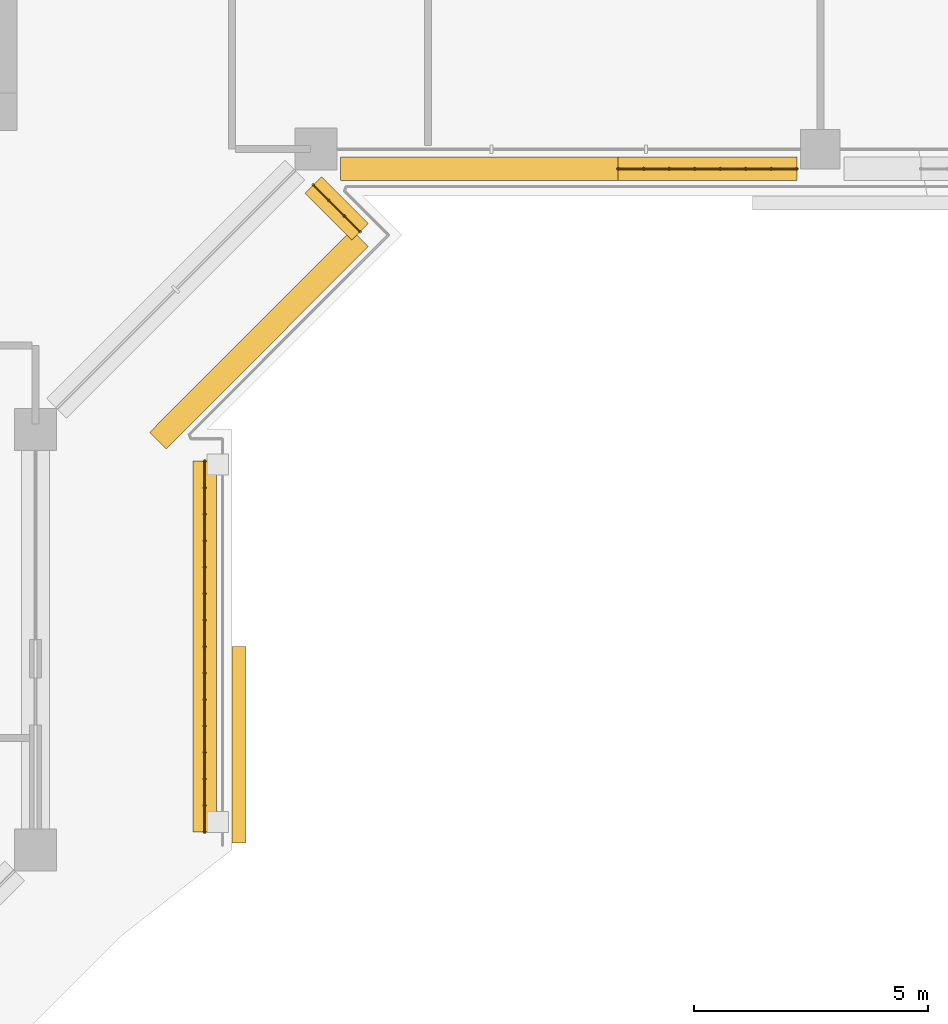
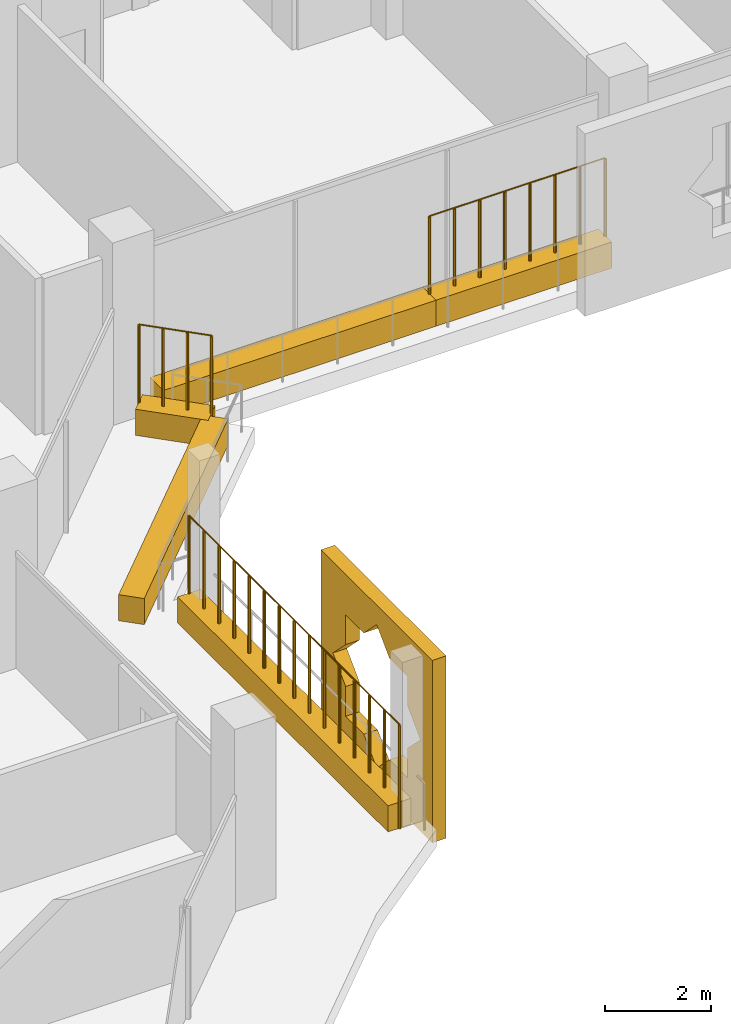
# One storey, part 18 of 23: 6 coverings, 3 railings.
"""IFC4 building model written with IfcOpenShell, lengths in metres."""

from ifc_helpers import new_model, si_unit, direction, frame, origin, origin_2d, place, context, subcontext, project, spatial, polyline, rectangle, circle, outline, extrude, material, material_profile, profile_set, type_object, element, save


model = new_model("IFC4")

# Units and contexts
model_context = context("Model", 3, precision=1e-05, world=origin(), true_north=direction((0.0, 1.0)))
body_context = subcontext(model_context, "Body", "Model", "MODEL_VIEW")
ifc_project = project(units=[si_unit("LENGTHUNIT", "METRE"), si_unit("AREAUNIT", "SQUARE_METRE"), si_unit("VOLUMEUNIT", "CUBIC_METRE"), si_unit("PLANEANGLEUNIT", "RADIAN"), si_unit("MASSUNIT", "GRAM", prefix="KILO")], contexts=[model_context])

# Site, building, storey
site_placement = place(None, origin())
site = spatial("IfcSite", under=ifc_project, at=site_placement, CompositionType="ELEMENT")
building_placement = place(site_placement, origin())
building = spatial("IfcBuilding", under=site, at=building_placement, Name="Kawkab Arch Medical Tower", CompositionType="ELEMENT")
storey_placement = place(building_placement, frame((0.0, 0.0, 247.39990234375)))
storey = spatial("IfcBuildingStorey", under=building, at=storey_placement, Name="L57", CompositionType="ELEMENT", Elevation=247.39990234375)

# Coverings
ifc_material_1 = material(Name="Bronze anodised aluminium mashrabiya panel, eight-point star pattern", Category="aluminium")
ifc_material_profile_1 = material_profile(ifc_material_1, outline(polyline([(-2.10009765625, -2.10009765625), (2.10009765625, -2.10009765625), (2.10009765625, 2.10009765625), (-2.10009765625, 2.10009765625), (-2.10009765625, -2.10009765625)]), holes=[polyline([(1.64990234375, 0.0), (1.166748046875, 0.4833984375), (1.166748046875, 1.166748046875), (0.4833984375, 1.166748046875), (0.0, 1.64990234375), (-0.4833984375, 1.166748046875), (-1.166748046875, 1.166748046875), (-1.166748046875, 0.4833984375), (-1.64990234375, 0.0), (-1.166748046875, -0.4833984375), (-1.166748046875, -1.166748046875), (-0.4833984375, -1.166748046875), (0.0, -1.64990234375), (0.4833984375, -1.166748046875), (1.166748046875, -1.166748046875), (1.166748046875, -0.4833984375), (1.64990234375, 0.0)])]), Name="Mashrabiya panel 4200x4200")
ifc_profile_set_1 = profile_set([ifc_material_profile_1], Name="Bronze anodised aluminium mashrabiya panel, eight-point star pattern")
covering_type_1 = type_object("IfcCoveringType", Name="Mashrabiya panel 4200 x 4200", PredefinedType="USERDEFINED", material=ifc_profile_set_1)
covering_1_placement = place(storey_placement, frame((29.39990234375, -37.94873046875, 1.7001953125), z_axis=(1.0, 0.0, 0.0), x_axis=(0.0, 1.0, 0.0)))
element("IfcCovering", 1, at=covering_1_placement, inside=storey, type_object=covering_type_1, Name="Mashrabiya panel L57.LOG-01-01.11", ObjectType="SCREEN", PredefinedType="USERDEFINED", context=body_context, shape_type="SweptSolid", body=[
    extrude(outline(polyline([(-2.10009765625, -2.10009765625), (2.10009765625, -2.10009765625), (2.10009765625, 2.10009765625), (-2.10009765625, 2.10009765625), (-2.10009765625, -2.10009765625)]), holes=[polyline([(1.64990234375, 0.0), (1.166748046875, 0.4833984375), (1.166748046875, 1.166748046875), (0.4833984375, 1.166748046875), (0.0, 1.64990234375), (-0.4833984375, 1.166748046875), (-1.166748046875, 1.166748046875), (-1.166748046875, 0.4833984375), (-1.64990234375, 0.0), (-1.166748046875, -0.4833984375), (-1.166748046875, -1.166748046875), (-0.4833984375, -1.166748046875), (0.0, -1.64990234375), (0.4833984375, -1.166748046875), (1.166748046875, -1.166748046875), (1.166748046875, -0.4833984375), (1.64990234375, 0.0)])]), origin(), (0.0, 0.0, 1.0), 0.300048828125),
])
ifc_material_2 = material(Name="Planting soil in a precast trough", Category="concrete")
ifc_material_profile_2 = material_profile(ifc_material_2, rectangle(XDim=0.5, YDim=0.60009765625, at=origin_2d()), Name="Trough 500x600")
ifc_profile_set_2 = profile_set([ifc_material_profile_2], Name="Planting soil in a precast trough")
covering_type_2 = type_object("IfcCoveringType", Name="Planter trough 500 x 600", PredefinedType="USERDEFINED", material=ifc_profile_set_2)
covering_2_placement = place(storey_placement, frame((41.4951171875, -25.6201171875, 0.300048828125), z_axis=(-1.0, 0.0, 0.0), x_axis=(0.0, -1.0, 0.0)))
element("IfcCovering", 2, at=covering_2_placement, inside=storey, type_object=covering_type_2, Name="Planter L57.LOG-01-01.35", ObjectType="PLANTER", PredefinedType="USERDEFINED", context=body_context, shape_type="SweptSolid", body=[
    extrude(rectangle(XDim=0.5, YDim=0.60009765625, at=origin_2d()), origin(), (0.0, 0.0, 1.0), 3.8251953125),
])
covering_3_placement = place(storey_placement, frame((37.669921875, -25.6201171875, 0.300048828125), z_axis=(-1.0, 0.0, 0.0), x_axis=(0.0, -1.0, 0.0)))
element("IfcCovering", 3, at=covering_3_placement, inside=storey, type_object=covering_type_2, Name="Planter L57.LOG-01-01.36", ObjectType="PLANTER", PredefinedType="USERDEFINED", context=body_context, shape_type="SweptSolid", body=[
    extrude(rectangle(XDim=0.5, YDim=0.60009765625, at=origin_2d()), origin(), (0.0, 0.0, 1.0), 5.93994140625),
])
covering_4_placement = place(storey_placement, frame((31.14306640625, -25.962890625, 0.300048828125), z_axis=(0.707020805532, -0.707192746389, 0.0), x_axis=(0.707192746389, 0.707020805532, 0.0)))
element("IfcCovering", 4, at=covering_4_placement, inside=storey, type_object=covering_type_2, Name="Planter L57.LOG-01-01.37", ObjectType="PLANTER", PredefinedType="USERDEFINED", context=body_context, shape_type="SweptSolid", body=[
    extrude(rectangle(XDim=0.5, YDim=0.60009765625, at=origin_2d()), origin(), (0.0, 0.0, 1.0), 1.419921875),
])
covering_5_placement = place(storey_placement, frame((32.14697265625, -27.10888671875, 0.300048828125), z_axis=(-0.707007043994, -0.707206504313, 0.0), x_axis=(0.707206504313, -0.707007043994, 0.0)))
element("IfcCovering", 5, at=covering_5_placement, inside=storey, type_object=covering_type_2, Name="Planter L57.LOG-01-01.38", ObjectType="PLANTER", PredefinedType="USERDEFINED", context=body_context, shape_type="SweptSolid", body=[
    extrude(rectangle(XDim=0.5, YDim=0.60009765625, at=origin_2d()), origin(), (0.0, 0.0, 1.0), 6.1201171875),
])
covering_6_placement = place(storey_placement, frame((28.820068359375, -31.8798828125, 0.300048828125), z_axis=(0.0, -1.0, 0.0), x_axis=(1.0, 0.0, 0.0)))
element("IfcCovering", 6, at=covering_6_placement, inside=storey, type_object=covering_type_2, Name="Planter L57.LOG-01-01.39", ObjectType="PLANTER", PredefinedType="USERDEFINED", context=body_context, shape_type="SweptSolid", body=[
    extrude(rectangle(XDim=0.5, YDim=0.60009765625, at=origin_2d()), origin(), (0.0, 0.0, 1.0), 7.93603515625),
])

# Railings
ifc_material_3 = material(Name="Bronze anodised aluminium trellis for climbing plants", Category="aluminium")
railing_type = type_object("IfcRailingType", Name="Planting trellis 2400", PredefinedType="USERDEFINED", material=ifc_material_3)
railing_1_placement = place(storey_placement, frame((41.4951171875, -25.6201171875, 0.0)))
element("IfcRailing", 7, at=railing_1_placement, inside=storey, type_object=railing_type, Name="Planting trellis L57.LOG-01-01.35", ObjectType="TRELLIS", PredefinedType="USERDEFINED", context=body_context, shape_type="SweptSolid", body=[
    extrude(circle(Radius=0.01513671875, at=origin_2d()), frame((0.0, 0.0, 2.384765625), z_axis=(-1.0, 0.0, 0.0), x_axis=(0.0, -1.0, 0.0)), (0.0, 0.0, 1.0), 3.8251953125),
    extrude(circle(Radius=0.030029296875, at=origin_2d()), origin(), (0.0, 0.0, 1.0), 2.369873046875),
    extrude(circle(Radius=0.030029296875, at=origin_2d()), frame((-0.54638671875, 0.0, 0.0)), (0.0, 0.0, 1.0), 2.369873046875),
    extrude(circle(Radius=0.030029296875, at=origin_2d()), frame((-1.093017578125, 0.0, 0.0)), (0.0, 0.0, 1.0), 2.369873046875),
    extrude(circle(Radius=0.030029296875, at=origin_2d()), frame((-1.639404296875, 0.0, 0.0)), (0.0, 0.0, 1.0), 2.369873046875),
    extrude(circle(Radius=0.030029296875, at=origin_2d()), frame((-2.185791015625, 0.0, 0.0)), (0.0, 0.0, 1.0), 2.369873046875),
    extrude(circle(Radius=0.030029296875, at=origin_2d()), frame((-2.732177734375, 0.0, 0.0)), (0.0, 0.0, 1.0), 2.369873046875),
    extrude(circle(Radius=0.030029296875, at=origin_2d()), frame((-3.27880859375, 0.0, 0.0)), (0.0, 0.0, 1.0), 2.369873046875),
    extrude(circle(Radius=0.030029296875, at=origin_2d()), frame((-3.8251953125, 0.0, 0.0)), (0.0, 0.0, 1.0), 2.369873046875),
])
railing_2_placement = place(storey_placement, frame((31.14306640625, -25.962890625, 0.0)))
element("IfcRailing", 8, at=railing_2_placement, inside=storey, type_object=railing_type, Name="Planting trellis L57.LOG-01-01.37", ObjectType="TRELLIS", PredefinedType="USERDEFINED", context=body_context, shape_type="SweptSolid", body=[
    extrude(circle(Radius=0.01513671875, at=origin_2d()), frame((0.0, 0.0, 2.384765625), z_axis=(0.707020805532, -0.707192746389, 0.0), x_axis=(0.707192746389, 0.707020805532, 0.0)), (0.0, 0.0, 1.0), 1.419921875),
    extrude(circle(Radius=0.030029296875, at=origin_2d()), origin(), (0.0, 0.0, 1.0), 2.369873046875),
    extrude(circle(Radius=0.030029296875, at=origin_2d()), frame((0.334716796875, -0.334716796875, 0.0)), (0.0, 0.0, 1.0), 2.369873046875),
    extrude(circle(Radius=0.030029296875, at=origin_2d()), frame((0.669189453125, -0.66943359375, 0.0)), (0.0, 0.0, 1.0), 2.369873046875),
    extrude(circle(Radius=0.030029296875, at=origin_2d()), frame((1.00390625, -1.004150390625, 0.0)), (0.0, 0.0, 1.0), 2.369873046875),
])
railing_3_placement = place(storey_placement, frame((28.820068359375, -31.8798828125, 0.0)))
element("IfcRailing", 9, at=railing_3_placement, inside=storey, type_object=railing_type, Name="Planting trellis L57.LOG-01-01.39", ObjectType="TRELLIS", PredefinedType="USERDEFINED", context=body_context, shape_type="SweptSolid", body=[
    extrude(circle(Radius=0.01513671875, at=origin_2d()), frame((0.0, 0.0, 2.384765625), z_axis=(0.0, -1.0, 0.0), x_axis=(1.0, 0.0, 0.0)), (0.0, 0.0, 1.0), 7.93603515625),
    extrude(circle(Radius=0.030029296875, at=origin_2d()), origin(), (0.0, 0.0, 1.0), 2.369873046875),
    extrude(circle(Radius=0.030029296875, at=origin_2d()), frame((0.0, -0.56689453125, 0.0)), (0.0, 0.0, 1.0), 2.369873046875),
    extrude(circle(Radius=0.030029296875, at=origin_2d()), frame((0.0, -1.1337890625, 0.0)), (0.0, 0.0, 1.0), 2.369873046875),
    extrude(circle(Radius=0.030029296875, at=origin_2d()), frame((0.0, -1.70068359375, 0.0)), (0.0, 0.0, 1.0), 2.369873046875),
    extrude(circle(Radius=0.030029296875, at=origin_2d()), frame((0.0, -2.267333984375, 0.0)), (0.0, 0.0, 1.0), 2.369873046875),
    extrude(circle(Radius=0.030029296875, at=origin_2d()), frame((0.0, -2.834228515625, 0.0)), (0.0, 0.0, 1.0), 2.369873046875),
    extrude(circle(Radius=0.030029296875, at=origin_2d()), frame((0.0, -3.401123046875, 0.0)), (0.0, 0.0, 1.0), 2.369873046875),
    extrude(circle(Radius=0.030029296875, at=origin_2d()), frame((0.0, -3.968017578125, 0.0)), (0.0, 0.0, 1.0), 2.369873046875),
    extrude(circle(Radius=0.030029296875, at=origin_2d()), frame((0.0, -4.534912109375, 0.0)), (0.0, 0.0, 1.0), 2.369873046875),
    extrude(circle(Radius=0.030029296875, at=origin_2d()), frame((0.0, -5.101806640625, 0.0)), (0.0, 0.0, 1.0), 2.369873046875),
    extrude(circle(Radius=0.030029296875, at=origin_2d()), frame((0.0, -5.668701171875, 0.0)), (0.0, 0.0, 1.0), 2.369873046875),
    extrude(circle(Radius=0.030029296875, at=origin_2d()), frame((0.0, -6.2353515625, 0.0)), (0.0, 0.0, 1.0), 2.369873046875),
    extrude(circle(Radius=0.030029296875, at=origin_2d()), frame((0.0, -6.80224609375, 0.0)), (0.0, 0.0, 1.0), 2.369873046875),
    extrude(circle(Radius=0.030029296875, at=origin_2d()), frame((0.0, -7.369140625, 0.0)), (0.0, 0.0, 1.0), 2.369873046875),
    extrude(circle(Radius=0.030029296875, at=origin_2d()), frame((0.0, -7.93603515625, 0.0)), (0.0, 0.0, 1.0), 2.369873046875),
])

save(model, "model.ifc")
